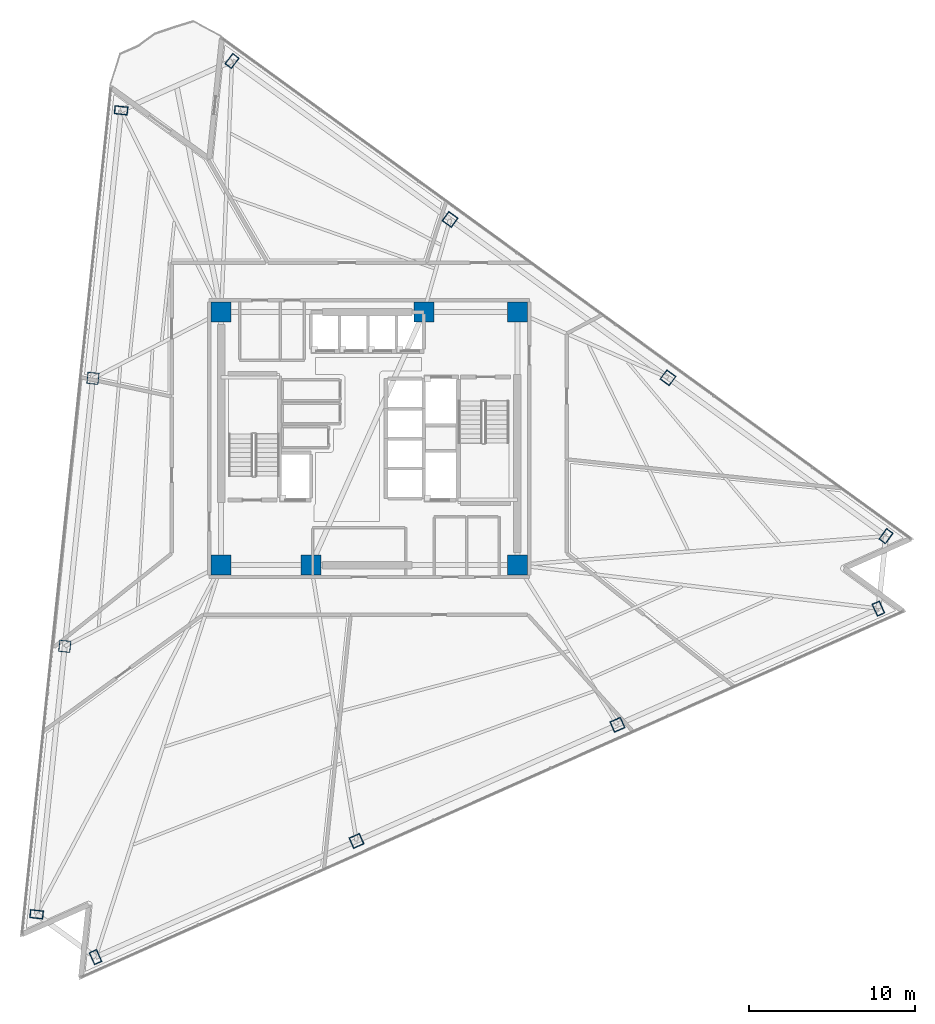
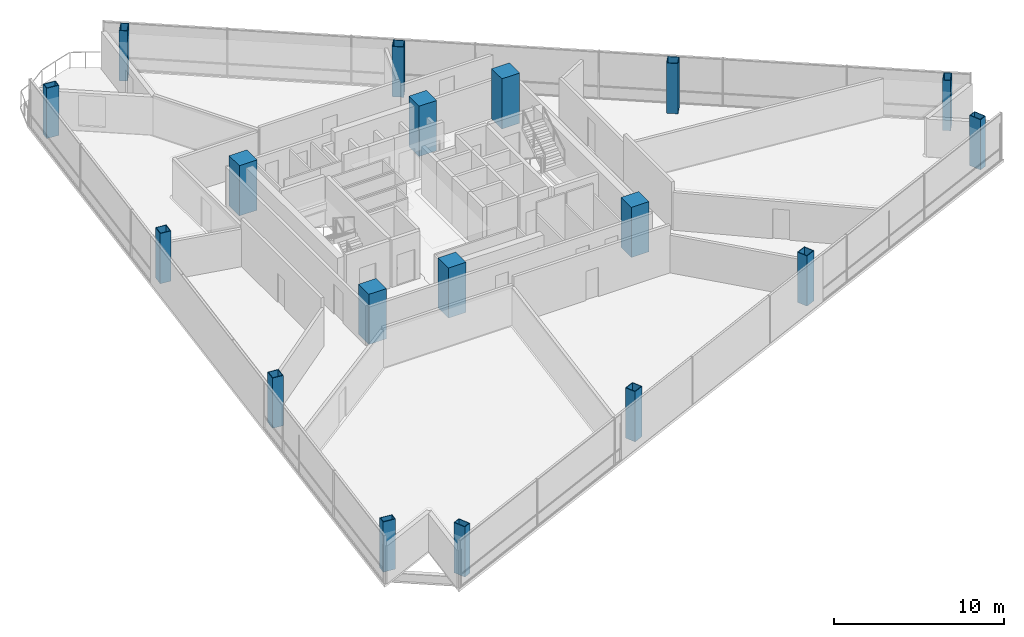
# One storey, part 1 of 19: 18 columns.
"""IFC4 building model written with IfcOpenShell, lengths in metres."""

from ifc_helpers import new_model, si_unit, direction, frame, origin, origin_2d, place, context, subcontext, project, spatial, rectangle, hollow_rectangle, extrude, material, material_profile, profile_set, type_object, element, save


model = new_model("IFC4")

# Units and contexts
model_context = context("Model", 3, precision=1e-05, world=origin(), true_north=direction((0.0, 1.0)))
body_context = subcontext(model_context, "Body", "Model", "MODEL_VIEW")
ifc_project = project(units=[si_unit("LENGTHUNIT", "METRE"), si_unit("AREAUNIT", "SQUARE_METRE"), si_unit("VOLUMEUNIT", "CUBIC_METRE"), si_unit("PLANEANGLEUNIT", "RADIAN"), si_unit("MASSUNIT", "GRAM", prefix="KILO")], contexts=[model_context])

# Site, building, storey
site_placement = place(None, origin())
site = spatial("IfcSite", under=ifc_project, at=site_placement, CompositionType="ELEMENT")
building_placement = place(site_placement, origin())
building = spatial("IfcBuilding", under=site, at=building_placement, Name="Tharavind Bronze Gate", CompositionType="ELEMENT")
storey_placement = place(building_placement, frame((0.0, 0.0, 116.050048828125)))
storey = spatial("IfcBuildingStorey", under=building, at=storey_placement, Name="L29", CompositionType="ELEMENT", Elevation=116.050048828125)

# Columns
ifc_material_1 = material(Name="Steel S460", Category="steel")
ifc_material_profile_1 = material_profile(ifc_material_1, hollow_rectangle(XDim=0.5, YDim=0.800048828125, WallThickness=0.0400390625, at=origin_2d()), Name="RHS800X500X40")
ifc_profile_set_1 = profile_set([ifc_material_profile_1], Name="Steel S460")
column_type_1 = type_object("IfcColumnType", Name="CORNER NOTCH COLUMN RHS800X500", PredefinedType="COLUMN", material=ifc_profile_set_1)
for number, where, z_axis, x_axis, name in (
    (1, (-14.91748046875, 19.7314453125, 0.0), (0.0, 0.0, 1.0), (0.104530199036, 0.99452171293, 0.0), "L29 perimeter column S1C1"),
    (2, (-19.9970703125, -28.597900390625, 0.0), (0.0, 0.0, 1.0), (0.104530199036, 0.99452171293, 0.0), "L29 perimeter column S1C4"),
    (3, (-16.45361328125, -31.17236328125, 0.0), (0.0, 0.0, 1.0), (0.913545457643, 0.406736643076, 0.0), "L29 perimeter column S2C1"),
    (4, (30.60791015625, -10.218994140625, 0.0), (0.0, 0.0, 1.0), (0.913545457643, 0.406736643076, 0.0), "L29 perimeter column S2C4"),
    (5, (31.06591796875, -5.863037109375, 0.0), (0.0, 0.0, 1.0), (-0.809016994375, 0.587785252292, 0.0), "L29 perimeter column S3C1"),
    (6, (-8.24853515625, 22.70068359375, 0.0), (0.0, 0.0, 1.0), (-0.809016994375, 0.587785252292, 0.0), "L29 perimeter column S3C4"),
):
    element("IfcColumn", number, at=place(storey_placement, frame(where, z_axis=z_axis, x_axis=x_axis)), inside=storey, type_object=column_type_1, Name=name, PredefinedType="COLUMN", context=body_context, shape_type="SweptSolid", body=[
        extrude(hollow_rectangle(XDim=0.5, YDim=0.800048828125, WallThickness=0.0400390625, at=origin_2d()), origin(), (0.0, 0.0, 1.0), 3.599853515625),
    ])
ifc_material_2 = material(Name="Concrete C60/75", Category="concrete")
ifc_material_profile_2 = material_profile(ifc_material_2, rectangle(XDim=1.199951171875, YDim=1.199951171875, at=origin_2d()), Name="RCCOL1200")
ifc_profile_set_2 = profile_set([ifc_material_profile_2], Name="Concrete C60/75")
column_type_2 = type_object("IfcColumnType", Name="MEGA CORE COLUMN 1200", PredefinedType="COLUMN", material=ifc_profile_set_2)
for number, where, z_axis, x_axis, name in (
    (7, (-8.89990234375, -7.60009765625, 0.0), (0.0, 0.0, 1.0), (1.0, 0.0, 0.0), "L29 core mega column MC1"),
    (8, (-3.5, -7.60009765625, 0.0), (0.0, 0.0, 1.0), (1.0, 0.0, 0.0), "L29 core mega column MC2"),
    (9, (8.89990234375, -7.60009765625, 0.0), (0.0, 0.0, 1.0), (1.0, 0.0, 0.0), "L29 core mega column MC3"),
    (10, (8.89990234375, 7.60009765625, 0.0), (0.0, 0.0, 1.0), (1.0, 0.0, 0.0), "L29 core mega column MC4"),
    (11, (3.280029296875, 7.60009765625, 0.0), (0.0, 0.0, 1.0), (1.0, 0.0, 0.0), "L29 core mega column MC5"),
    (12, (-8.89990234375, 7.60009765625, 0.0), (0.0, 0.0, 1.0), (1.0, 0.0, 0.0), "L29 core mega column MC6"),
):
    element("IfcColumn", number, at=place(storey_placement, frame(where, z_axis=z_axis, x_axis=x_axis)), inside=storey, type_object=column_type_2, Name=name, PredefinedType="COLUMN", context=body_context, shape_type="SweptSolid", body=[
        extrude(rectangle(XDim=1.199951171875, YDim=1.199951171875, at=origin_2d()), origin(), (0.0, 0.0, 1.0), 3.599853515625),
    ])
ifc_material_profile_3 = material_profile(ifc_material_1, hollow_rectangle(XDim=0.699951171875, YDim=0.699951171875, WallThickness=0.0400390625, at=origin_2d()), Name="SHS700X40")
ifc_profile_set_3 = profile_set([ifc_material_profile_3], Name="Steel S460")
column_type_3 = type_object("IfcColumnType", Name="PERIMETER BOX COLUMN SHS700", PredefinedType="COLUMN", material=ifc_profile_set_3)
for number, where, z_axis, x_axis, name in (
    (13, (-16.610595703125, 3.62158203125, 0.0), (0.0, 0.0, 1.0), (0.104530199036, 0.99452171293, 0.0), "L29 perimeter column S1C2"),
    (14, (-18.303955078125, -12.488037109375, 0.0), (0.0, 0.0, 1.0), (0.104530199036, 0.99452171293, 0.0), "L29 perimeter column S1C3"),
    (15, (-0.766357421875, -24.18798828125, 0.0), (0.0, 0.0, 1.0), (0.913545457643, 0.406736643076, 0.0), "L29 perimeter column S2C2"),
    (16, (14.9208984375, -17.20361328125, 0.0), (0.0, 0.0, 1.0), (0.913545457643, 0.406736643076, 0.0), "L29 perimeter column S2C3"),
    (17, (17.961181640625, 3.658203125, 0.0), (0.0, 0.0, 1.0), (-0.809016994375, 0.587785252292, 0.0), "L29 perimeter column S3C2"),
    (18, (4.856201171875, 13.179443359375, 0.0), (0.0, 0.0, 1.0), (-0.809016994375, 0.587785252292, 0.0), "L29 perimeter column S3C3"),
):
    element("IfcColumn", number, at=place(storey_placement, frame(where, z_axis=z_axis, x_axis=x_axis)), inside=storey, type_object=column_type_3, Name=name, PredefinedType="COLUMN", context=body_context, shape_type="SweptSolid", body=[
        extrude(hollow_rectangle(XDim=0.699951171875, YDim=0.699951171875, WallThickness=0.0400390625, at=origin_2d()), origin(), (0.0, 0.0, 1.0), 3.599853515625),
    ])

save(model, "model.ifc")
